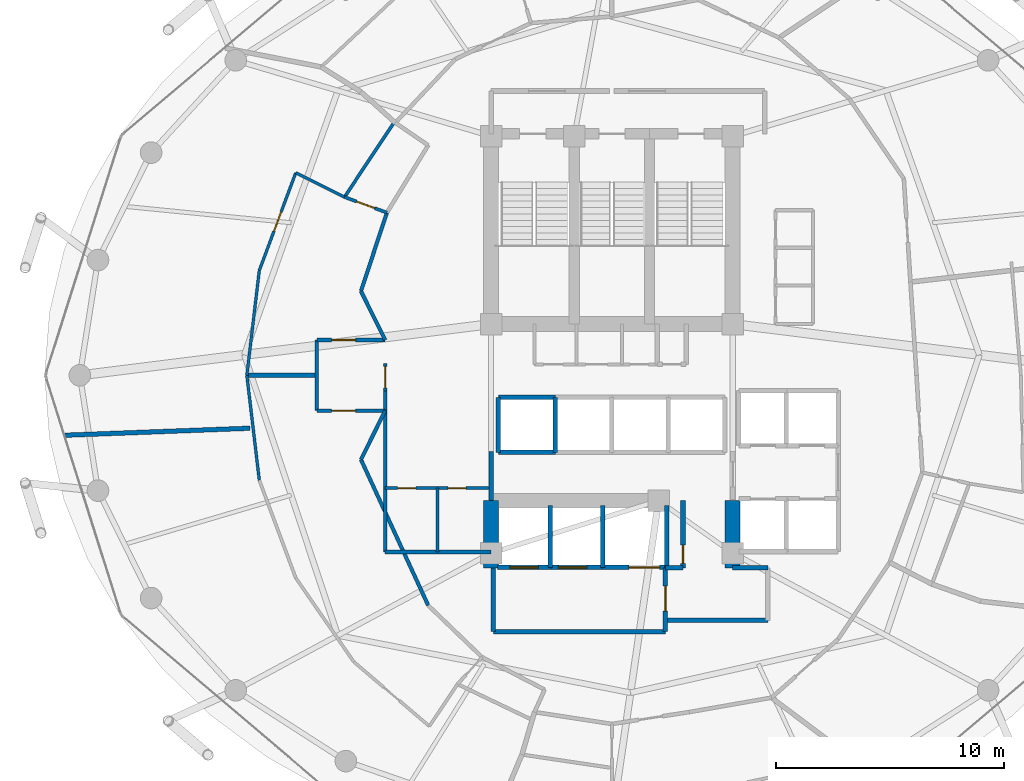
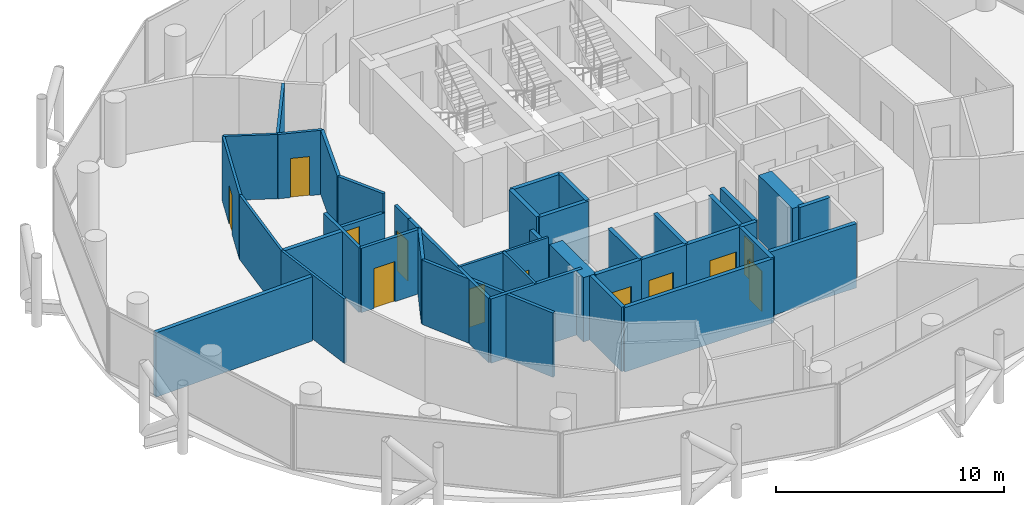
# One storey, part 22 of 26: 40 walls, 12 doors, 12 openings.
"""IFC4 building model written with IfcOpenShell, lengths in metres."""

from ifc_helpers import new_model, si_unit, direction, frame, frame_2d, origin, place, context, subcontext, project, spatial, rectangle, extrude, material, layer, layer_set, type_object, element, fill, save


model = new_model("IFC4")

# Units and contexts
model_context = context("Model", 3, precision=1e-05, world=origin(), true_north=direction((0.0, 1.0)))
body_context = subcontext(model_context, "Body", "Model", "MODEL_VIEW")
ifc_project = project(units=[si_unit("LENGTHUNIT", "METRE"), si_unit("AREAUNIT", "SQUARE_METRE"), si_unit("VOLUMEUNIT", "CUBIC_METRE"), si_unit("PLANEANGLEUNIT", "RADIAN"), si_unit("MASSUNIT", "GRAM", prefix="KILO")], contexts=[model_context])

# Site, building, storey
site_placement = place(None, origin())
site = spatial("IfcSite", under=ifc_project, at=site_placement, CompositionType="ELEMENT")
building_placement = place(site_placement, origin())
building = spatial("IfcBuilding", under=site, at=building_placement, Name="Nuhasar Tower", CompositionType="ELEMENT")
storey_placement = place(building_placement, frame((0.0, 0.0, 136.75)))
storey = spatial("IfcBuildingStorey", under=building, at=storey_placement, Name="L32", CompositionType="ELEMENT", Elevation=136.75)

# Walls
ifc_material_1 = material(Name="Concrete C65/80", Category="concrete")
ifc_layer_1 = layer(ifc_material_1, 0.64990234375)
ifc_layer_set_1 = layer_set([ifc_layer_1], Name="Concrete C65/80")
wall_type_1 = type_object("IfcWallType", Name="WL-CORE-650", PredefinedType="SHEAR", material=ifc_layer_set_1)
for number, where, z_axis, x_axis, name in (
    (1, (33.699951171875, 18.35009765625, 0.0), (0.0, 0.0, 1.0), (0.0, 1.0, 0.0), "L32 Core Shear Wall CW-SW CW-650"),
    (2, (44.300048828125, 18.35009765625, 0.0), (0.0, 0.0, 1.0), (0.0, 1.0, 0.0), "L32 Core Shear Wall CW-SE CW-650"),
):
    element("IfcWall", number, at=place(storey_placement, frame(where, z_axis=z_axis, x_axis=x_axis)), inside=storey, type_object=wall_type_1, Name=name, PredefinedType="SHEAR", context=body_context, shape_type="SweptSolid", body=[
        extrude(rectangle(XDim=2.949951171875, YDim=0.64990234375, at=frame_2d((1.47509765625, 0.0))), origin(), (0.0, 0.0, 1.0), 3.449951171875),
    ])
ifc_material_2 = material(Name="Gypsum Board", Category="gypsum")
ifc_layer_2 = layer(ifc_material_2, 0.159912109375)
ifc_layer_set_2 = layer_set([ifc_layer_2], Name="Gypsum Board")
wall_type_2 = type_object("IfcWallType", Name="WL-CORR-160", PredefinedType="PARTITIONING", material=ifc_layer_set_2)
wall_1_placement = place(storey_placement, frame((29.050048828125, 19.050048828125, 0.0), z_axis=(0.0, 0.0, 1.0), x_axis=(1.0, 0.0, 0.0)))
element("IfcWall", 3, at=wall_1_placement, inside=storey, type_object=wall_type_2, Name="L32 Interior Partition RECL-B1-S", PredefinedType="PARTITIONING", context=body_context, shape_type="SweptSolid", body=[
    extrude(rectangle(XDim=4.64990234375, YDim=0.159912109375, at=frame_2d((2.324951171875, 0.0))), origin(), (0.0, 0.0, 1.0), 3.449951171875),
])
wall_2_placement = place(storey_placement, frame((29.050048828125, 19.050048828125, 0.0), z_axis=(0.0, 0.0, 1.0), x_axis=(0.0, 1.0, 0.0)))
element("IfcWall", 4, at=wall_2_placement, inside=storey, type_object=wall_type_2, Name="L32 Interior Partition RECL-B1-W", PredefinedType="PARTITIONING", context=body_context, shape_type="SweptSolid", body=[
    extrude(rectangle(XDim=7.070068359375, YDim=0.159912109375, at=frame_2d((3.53515625, 0.0))), origin(), (0.0, 0.0, 1.0), 3.449951171875),
])

# Wall, opening, door
wall_3_placement = place(storey_placement, frame((29.050048828125, 26.1201171875, 0.0), z_axis=(0.0, 0.0, 1.0), x_axis=(0.0, 1.0, 0.0)))
wall_3 = element("IfcWall", 5, at=wall_3_placement, inside=storey, type_object=wall_type_2, Name="L32 Interior Partition WVEST-E", PredefinedType="PARTITIONING", context=body_context, shape_type="SweptSolid", body=[
    extrude(rectangle(XDim=1.199951171875, YDim=0.159912109375, at=frame_2d((0.60009765625, 0.0))), origin(), (0.0, 0.0, 1.0), 3.449951171875),
])
opening_1_placement = place(wall_3_placement, frame((0.125, 0.0, 0.0)))
opening_1 = element("IfcOpeningElement", 6, at=opening_1_placement, cuts=wall_3, Name="Opening DO-01", PredefinedType="OPENING", context=body_context, shape_type="SweptSolid", body=[
    extrude(rectangle(XDim=0.949951171875, YDim=2.14990234375, at=frame_2d((0.47509765625, 1.074951171875))), frame((0.0, 0.08984375, 0.0), z_axis=(0.0, -1.0, 0.0), x_axis=(1.0, 0.0, 0.0)), (0.0, 0.0, 1.0), 0.179931640625),
])
ifc_material_3 = material(Name="Timber Oak", Category="wood")
door_type_1 = type_object("IfcDoorType", Name="DR-OFFICE-FD30-950", OperationType="NOTDEFINED", PredefinedType="DOOR", material=ifc_material_3)
door_1_placement = place(opening_1_placement, origin())
door_1 = element("IfcDoor", 7, at=door_1_placement, inside=storey, type_object=door_type_1, Name="L32 West Arrival Foyer Core Door", OperationType="SINGLE_SWING_RIGHT", OverallHeight=2.14990234375, OverallWidth=0.949951171875, PredefinedType="DOOR", context=body_context, shape_type="SweptSolid", body=[
    extrude(rectangle(XDim=0.949951171875, YDim=2.14990234375, at=frame_2d((0.47509765625, 1.074951171875))), frame((0.0, 0.02490234375, 0.0), z_axis=(0.0, -1.0, 0.0), x_axis=(1.0, 0.0, 0.0)), (0.0, 0.0, 1.0), 0.050048828125),
])
fill(opening_1, door_1)

# Walls
wall_4_placement = place(storey_placement, frame((29.126953125, 33.93994140625, 0.0), z_axis=(0.0, 0.0, 1.0), x_axis=(-0.313985571683, -0.949427754374, 0.0)))
element("IfcWall", 8, at=wall_4_placement, inside=storey, type_object=wall_type_2, Name="L32 Interior Partition HWEST-CORE-N-20", PredefinedType="PARTITIONING", context=body_context, shape_type="SweptSolid", body=[
    extrude(rectangle(XDim=3.627197265625, YDim=0.159912109375, at=frame_2d((1.8134765625, 0.0))), origin(), (0.0, 0.0, 1.0), 3.449951171875),
])
wall_5_placement = place(storey_placement, frame((27.988037109375, 23.10400390625, 0.0), z_axis=(0.0, 0.0, 1.0), x_axis=(0.418656179426, -0.908144814128, 0.0)))
element("IfcWall", 9, at=wall_5_placement, inside=storey, type_object=wall_type_2, Name="L32 Interior Partition HWEST-CORE-S1-26", PredefinedType="PARTITIONING", context=body_context, shape_type="SweptSolid", body=[
    extrude(rectangle(XDim=7.048583984375, YDim=0.159912109375, at=frame_2d((3.5244140625, 0.0))), origin(), (0.0, 0.0, 1.0), 3.449951171875),
])

# Wall, opening, door
wall_6_placement = place(storey_placement, frame((26.050048828125, 28.35009765625, 0.0), z_axis=(0.0, 0.0, 1.0), x_axis=(1.0, 0.0, 0.0)))
wall_6 = element("IfcWall", 10, at=wall_6_placement, inside=storey, type_object=wall_type_2, Name="L32 Interior Partition WVEST-N", PredefinedType="PARTITIONING", context=body_context, shape_type="SweptSolid", body=[
    extrude(rectangle(XDim=3.0, YDim=0.159912109375, at=frame_2d((1.5, 0.0))), origin(), (0.0, 0.0, 1.0), 2.43994140625),
])
opening_2_placement = place(wall_6_placement, frame((0.64990234375, 0.0, 0.0)))
opening_2 = element("IfcOpeningElement", 11, at=opening_2_placement, cuts=wall_6, Name="Opening DU-01", PredefinedType="OPENING", context=body_context, shape_type="SweptSolid", body=[
    extrude(rectangle(XDim=1.050048828125, YDim=2.14990234375, at=frame_2d((0.52490234375, 1.074951171875))), frame((0.0, 0.08984375, 0.0), z_axis=(0.0, -1.0, 0.0), x_axis=(1.0, 0.0, 0.0)), (0.0, 0.0, 1.0), 0.179931640625),
])
door_type_2 = type_object("IfcDoorType", Name="DR-SUITE-FD60-1050", OperationType="NOTDEFINED", PredefinedType="DOOR", material=ifc_material_3)
door_2_placement = place(opening_2_placement, origin())
door_2 = element("IfcDoor", 12, at=door_2_placement, inside=storey, type_object=door_type_2, Name="L32 North-West Sunset Suite Entrance", OperationType="SINGLE_SWING_LEFT", OverallHeight=2.14990234375, OverallWidth=1.050048828125, PredefinedType="DOOR", context=body_context, shape_type="SweptSolid", body=[
    extrude(rectangle(XDim=1.050048828125, YDim=2.14990234375, at=frame_2d((0.52490234375, 1.074951171875))), frame((0.0, 0.02490234375, 0.0), z_axis=(0.0, -1.0, 0.0), x_axis=(1.0, 0.0, 0.0)), (0.0, 0.0, 1.0), 0.050048828125),
])
fill(opening_2, door_2)

wall_7_placement = place(storey_placement, frame((26.050048828125, 25.25, 0.0), z_axis=(0.0, 0.0, 1.0), x_axis=(1.0, 0.0, 0.0)))
wall_7 = element("IfcWall", 13, at=wall_7_placement, inside=storey, type_object=wall_type_2, Name="L32 Interior Partition WVEST-S", PredefinedType="PARTITIONING", context=body_context, shape_type="SweptSolid", body=[
    extrude(rectangle(XDim=3.0, YDim=0.159912109375, at=frame_2d((1.5, 0.0))), origin(), (0.0, 0.0, 1.0), 3.449951171875),
])
opening_3_placement = place(wall_7_placement, frame((0.64990234375, 0.0, 0.0)))
opening_3 = element("IfcOpeningElement", 14, at=opening_3_placement, cuts=wall_7, Name="Opening DU-01", PredefinedType="OPENING", context=body_context, shape_type="SweptSolid", body=[
    extrude(rectangle(XDim=1.050048828125, YDim=2.14990234375, at=frame_2d((0.52490234375, 1.074951171875))), frame((0.0, 0.08984375, 0.0), z_axis=(0.0, -1.0, 0.0), x_axis=(1.0, 0.0, 0.0)), (0.0, 0.0, 1.0), 0.179931640625),
])
door_3_placement = place(opening_3_placement, origin())
door_3 = element("IfcDoor", 15, at=door_3_placement, inside=storey, type_object=door_type_2, Name="L32 South-West Presidential Suite Entrance", OperationType="SINGLE_SWING_LEFT", OverallHeight=2.14990234375, OverallWidth=1.050048828125, PredefinedType="DOOR", context=body_context, shape_type="SweptSolid", body=[
    extrude(rectangle(XDim=1.050048828125, YDim=2.14990234375, at=frame_2d((0.52490234375, 1.074951171875))), frame((0.0, 0.02490234375, 0.0), z_axis=(0.0, -1.0, 0.0), x_axis=(1.0, 0.0, 0.0)), (0.0, 0.0, 1.0), 0.050048828125),
])
fill(opening_3, door_3)

# Walls
wall_8_placement = place(storey_placement, frame((26.050048828125, 25.25, 0.0), z_axis=(0.0, 0.0, 1.0), x_axis=(0.0, 1.0, 0.0)))
element("IfcWall", 16, at=wall_8_placement, inside=storey, type_object=wall_type_2, Name="L32 Interior Partition WVEST-W", PredefinedType="PARTITIONING", context=body_context, shape_type="SweptSolid", body=[
    extrude(rectangle(XDim=3.10009765625, YDim=0.159912109375, at=frame_2d((1.550048828125, 0.0))), origin(), (0.0, 0.0, 1.0), 3.449951171875),
])
for number, where, z_axis, x_axis, name in (
    (17, (27.988037109375, 30.49609375, 0.0), (0.0, 0.0, 1.0), (0.443539160525, -0.896254993337, 0.0), "L32 Interior Partition WVEST-CN"),
    (18, (27.988037109375, 23.10400390625, 0.0), (0.0, 0.0, 1.0), (0.443539160525, 0.896254993337, 0.0), "L32 Interior Partition WVEST-CS"),
):
    element("IfcWall", number, at=place(storey_placement, frame(where, z_axis=z_axis, x_axis=x_axis)), inside=storey, type_object=wall_type_2, Name=name, PredefinedType="PARTITIONING", context=body_context, shape_type="SweptSolid", body=[
        extrude(rectangle(XDim=2.394287109375, YDim=0.159912109375, at=frame_2d((1.197265625, 0.0))), origin(), (0.0, 0.0, 1.0), 3.449951171875),
    ])
ifc_material_4 = material(Name="Concrete C45/55", Category="concrete")
ifc_layer_3 = layer(ifc_material_4, 0.199951171875)
ifc_layer_set_3 = layer_set([ifc_layer_3], Name="Concrete C45/55")
wall_type_3 = type_object("IfcWallType", Name="WL-LOBBY-200", PredefinedType="SOLIDWALL", material=ifc_layer_set_3)
wall_9_placement = place(storey_placement, frame((33.699951171875, 21.300048828125, 0.0), z_axis=(0.0, 0.0, 1.0), x_axis=(0.0, 1.0, 0.0)))
element("IfcWall", 19, at=wall_9_placement, inside=storey, type_object=wall_type_3, Name="L32 Interior Partition LLBH-W", PredefinedType="SOLIDWALL", context=body_context, shape_type="SweptSolid", body=[
    extrude(rectangle(XDim=2.14990234375, YDim=0.199951171875, at=frame_2d((1.074951171875, 0.0))), origin(), (0.0, 0.0, 1.0), 2.8349609375),
])
wall_10_placement = place(storey_placement, frame((33.800048828125, 15.550048828125, 0.0), z_axis=(0.0, 0.0, 1.0), x_axis=(1.0, 0.0, 0.0)))
element("IfcWall", 20, at=wall_10_placement, inside=storey, type_object=wall_type_3, Name="L32 Interior Partition FFL-S", PredefinedType="SOLIDWALL", context=body_context, shape_type="SweptSolid", body=[
    extrude(rectangle(XDim=7.550048828125, YDim=0.199951171875, at=frame_2d((3.77490234375, 0.0))), origin(), (0.0, 0.0, 1.0), 3.449951171875),
])
wall_11_placement = place(storey_placement, frame((33.800048828125, 15.550048828125, 0.0), z_axis=(0.0, 0.0, 1.0), x_axis=(0.0, 1.0, 0.0)))
element("IfcWall", 21, at=wall_11_placement, inside=storey, type_object=wall_type_3, Name="L32 Interior Partition FFL-W", PredefinedType="SOLIDWALL", context=body_context, shape_type="SweptSolid", body=[
    extrude(rectangle(XDim=2.800048828125, YDim=0.199951171875, at=frame_2d((1.39990234375, 0.0))), origin(), (0.0, 0.0, 1.0), 3.449951171875),
])

# Wall, opening, door
wall_12_placement = place(storey_placement, frame((41.35009765625, 15.550048828125, 0.0), z_axis=(0.0, 0.0, 1.0), x_axis=(0.0, 1.0, 0.0)))
wall_12 = element("IfcWall", 22, at=wall_12_placement, inside=storey, type_object=wall_type_3, Name="L32 Interior Partition FFL-E", PredefinedType="SOLIDWALL", context=body_context, shape_type="SweptSolid", body=[
    extrude(rectangle(XDim=2.800048828125, YDim=0.199951171875, at=frame_2d((1.39990234375, 0.0))), origin(), (0.0, 0.0, 1.0), 3.449951171875),
])
opening_4_placement = place(wall_12_placement, frame((0.89990234375, 0.0, 0.0)))
opening_4 = element("IfcOpeningElement", 23, at=opening_4_placement, cuts=wall_12, Name="Opening DS-02", PredefinedType="OPENING", context=body_context, shape_type="SweptSolid", body=[
    extrude(rectangle(XDim=1.10009765625, YDim=2.14990234375, at=frame_2d((0.550048828125, 1.074951171875))), frame((0.0, 0.10986328125, 0.0), z_axis=(0.0, -1.0, 0.0), x_axis=(1.0, 0.0, 0.0)), (0.0, 0.0, 1.0), 0.219970703125),
])
ifc_material_5 = material(Name="Steel S355", Category="steel")
door_type_3 = type_object("IfcDoorType", Name="DR-FFL-FD120-1100", OperationType="NOTDEFINED", PredefinedType="DOOR", material=ifc_material_5)
door_4_placement = place(opening_4_placement, origin())
door_4 = element("IfcDoor", 24, at=door_4_placement, inside=storey, type_object=door_type_3, Name="L32 Firefighting Lobby Door", OperationType="SINGLE_SWING_RIGHT", OverallHeight=2.14990234375, OverallWidth=1.10009765625, PredefinedType="DOOR", context=body_context, shape_type="SweptSolid", body=[
    extrude(rectangle(XDim=1.10009765625, YDim=2.14990234375, at=frame_2d((0.550048828125, 1.074951171875))), frame((0.0, 0.02490234375, 0.0), z_axis=(0.0, -1.0, 0.0), x_axis=(1.0, 0.0, 0.0)), (0.0, 0.0, 1.0), 0.050048828125),
])
fill(opening_4, door_4)

# Walls
wall_13_placement = place(storey_placement, frame((41.35009765625, 16.050048828125, 0.0), z_axis=(0.0, 0.0, 1.0), x_axis=(1.0, 0.0, 0.0)))
element("IfcWall", 25, at=wall_13_placement, inside=storey, type_object=wall_type_3, Name="L32 Interior Partition SVLV-S", PredefinedType="SOLIDWALL", context=body_context, shape_type="SweptSolid", body=[
    extrude(rectangle(XDim=4.5, YDim=0.199951171875, at=frame_2d((2.25, 0.0))), origin(), (0.0, 0.0, 1.0), 3.449951171875),
])
wall_14_placement = place(storey_placement, frame((44.300048828125, 18.35009765625, 0.0), z_axis=(0.0, 0.0, 1.0), x_axis=(1.0, 0.0, 0.0)))
element("IfcWall", 26, at=wall_14_placement, inside=storey, type_object=wall_type_3, Name="L32 Interior Partition SVLV-N", PredefinedType="SOLIDWALL", context=body_context, shape_type="SweptSolid", body=[
    extrude(rectangle(XDim=1.550048828125, YDim=0.199951171875, at=frame_2d((0.77490234375, 0.0))), origin(), (0.0, 0.0, 1.0), 3.449951171875),
])

# Wall, openings, doors
ifc_layer_4 = layer(ifc_material_2, 0.125)
ifc_layer_set_4 = layer_set([ifc_layer_4], Name="Gypsum Board")
wall_type_4 = type_object("IfcWallType", Name="WL-PART-125", PredefinedType="PARTITIONING", material=ifc_layer_set_4)
wall_15_placement = place(storey_placement, frame((33.60009765625, 21.85009765625, 0.0), z_axis=(0.0, 0.0, 1.0), x_axis=(-1.0, 0.0, 0.0)))
wall_15 = element("IfcWall", 27, at=wall_15_placement, inside=storey, type_object=wall_type_4, Name="L32 Interior Partition HKPK1-N", PredefinedType="PARTITIONING", context=body_context, shape_type="SweptSolid", body=[
    extrude(rectangle(XDim=4.550048828125, YDim=0.125, at=frame_2d((2.27490234375, 0.0))), origin(), (0.0, 0.0, 1.0), 3.449951171875),
])
opening_5_placement = place(wall_15_placement, frame((3.199951171875, 0.0, 0.0)))
opening_5 = element("IfcOpeningElement", 28, at=opening_5_placement, cuts=wall_15, Name="Opening DM-01", PredefinedType="OPENING", context=body_context, shape_type="SweptSolid", body=[
    extrude(rectangle(XDim=0.800048828125, YDim=2.050048828125, at=frame_2d((0.39990234375, 1.02490234375))), frame((0.0, 0.072509765625, 0.0), z_axis=(0.0, -1.0, 0.0), x_axis=(1.0, 0.0, 0.0)), (0.0, 0.0, 1.0), 0.14501953125),
])
opening_6_placement = place(wall_15_placement, frame((1.0, 0.0, 0.0)))
opening_6 = element("IfcOpeningElement", 29, at=opening_6_placement, cuts=wall_15, Name="Opening DM-01", PredefinedType="OPENING", context=body_context, shape_type="SweptSolid", body=[
    extrude(rectangle(XDim=0.800048828125, YDim=2.050048828125, at=frame_2d((0.39990234375, 1.02490234375))), frame((0.0, 0.072509765625, 0.0), z_axis=(0.0, -1.0, 0.0), x_axis=(1.0, 0.0, 0.0)), (0.0, 0.0, 1.0), 0.14501953125),
])
door_type_4 = type_object("IfcDoorType", Name="DR-RISER-FD60-800", OperationType="NOTDEFINED", PredefinedType="DOOR", material=ifc_material_5)
door_5_placement = place(opening_5_placement, origin())
door_5 = element("IfcDoor", 30, at=door_5_placement, inside=storey, type_object=door_type_4, Name="L32 Housekeeping Closet Door", OperationType="SINGLE_SWING_RIGHT", OverallHeight=2.050048828125, OverallWidth=0.800048828125, PredefinedType="DOOR", context=body_context, shape_type="SweptSolid", body=[
    extrude(rectangle(XDim=0.800048828125, YDim=2.050048828125, at=frame_2d((0.39990234375, 1.02490234375))), frame((0.0, 0.02490234375, 0.0), z_axis=(0.0, -1.0, 0.0), x_axis=(1.0, 0.0, 0.0)), (0.0, 0.0, 1.0), 0.050048828125),
])
fill(opening_5, door_5)
door_6_placement = place(opening_6_placement, origin())
door_6 = element("IfcDoor", 31, at=door_6_placement, inside=storey, type_object=door_type_4, Name="L32 Linen Store Door", OperationType="SINGLE_SWING_LEFT", OverallHeight=2.050048828125, OverallWidth=0.800048828125, PredefinedType="DOOR", context=body_context, shape_type="SweptSolid", body=[
    extrude(rectangle(XDim=0.800048828125, YDim=2.050048828125, at=frame_2d((0.39990234375, 1.02490234375))), frame((0.0, 0.02490234375, 0.0), z_axis=(0.0, -1.0, 0.0), x_axis=(1.0, 0.0, 0.0)), (0.0, 0.0, 1.0), 0.050048828125),
])
fill(opening_6, door_6)

# Walls
wall_16_placement = place(storey_placement, frame((31.35009765625, 19.050048828125, 0.0), z_axis=(0.0, 0.0, 1.0), x_axis=(0.0, 1.0, 0.0)))
element("IfcWall", 32, at=wall_16_placement, inside=storey, type_object=wall_type_4, Name="L32 Interior Partition HKPK1-V", PredefinedType="PARTITIONING", context=body_context, shape_type="SweptSolid", body=[
    extrude(rectangle(XDim=2.800048828125, YDim=0.125, at=frame_2d((1.39990234375, 0.0))), origin(), (0.0, 0.0, 1.0), 3.449951171875),
])
wall_17_placement = place(storey_placement, frame((27.264892578125, 34.625, 0.0), z_axis=(0.0, 0.0, 1.0), x_axis=(-0.895182030291, 0.445700720937, 0.0)))
element("IfcWall", 33, at=wall_17_placement, inside=storey, type_object=wall_type_4, Name="L32 Interior Partition HWS1-S", PredefinedType="PARTITIONING", context=body_context, shape_type="SweptSolid", body=[
    extrude(rectangle(XDim=2.389404296875, YDim=0.125, at=frame_2d((1.19482421875, 0.0))), origin(), (0.0, 0.0, 1.0), 3.449951171875),
])

# Wall, opening, door
wall_18_placement = place(storey_placement, frame((25.1259765625, 35.68994140625, 0.0), z_axis=(0.0, 0.0, 1.0), x_axis=(-0.349620571525, -0.936891378958, 0.0)))
wall_18 = element("IfcWall", 34, at=wall_18_placement, inside=storey, type_object=wall_type_4, Name="L32 Interior Partition HWS1-ARC-20", PredefinedType="PARTITIONING", context=body_context, shape_type="SweptSolid", body=[
    extrude(rectangle(XDim=4.57666015625, YDim=0.125, at=frame_2d((2.288330078125, 0.0))), origin(), (0.0, 0.0, 1.0), 3.449951171875),
])
opening_7_placement = place(wall_18_placement, frame((1.837890625, 0.0, 0.0)))
opening_7 = element("IfcOpeningElement", 35, at=opening_7_placement, cuts=wall_18, Name="Opening DR-01", PredefinedType="OPENING", context=body_context, shape_type="SweptSolid", body=[
    extrude(rectangle(XDim=0.89990234375, YDim=2.10009765625, at=frame_2d((0.449951171875, 1.050048828125))), frame((0.0, 0.072509765625, 0.0), z_axis=(0.0, -1.0, 0.0), x_axis=(1.0, 0.0, 0.0)), (0.0, 0.0, 1.0), 0.14501953125),
])
door_type_5 = type_object("IfcDoorType", Name="DR-ROOM-900", OperationType="NOTDEFINED", PredefinedType="DOOR", material=ifc_material_3)
door_7_placement = place(opening_7_placement, origin())
door_7 = element("IfcDoor", 36, at=door_7_placement, inside=storey, type_object=door_type_5, Name="L32 North-West Sunset Suite Bedroom Door", OperationType="SINGLE_SWING_LEFT", OverallHeight=2.10009765625, OverallWidth=0.89990234375, PredefinedType="DOOR", context=body_context, shape_type="SweptSolid", body=[
    extrude(rectangle(XDim=0.89990234375, YDim=2.10009765625, at=frame_2d((0.449951171875, 1.050048828125))), frame((0.0, 0.02490234375, 0.0), z_axis=(0.0, -1.0, 0.0), x_axis=(1.0, 0.0, 0.0)), (0.0, 0.0, 1.0), 0.050048828125),
])
fill(opening_7, door_7)

# Walls
for number, where, z_axis, x_axis, name in (
    (37, (23.52587890625, 31.402099609375, 0.0), (0.0, 0.0, 1.0), (-0.117794846718, -0.993037951987, 0.0), "L32 Interior Partition HWS1-ARC-22"),
    (38, (22.97998046875, 26.800048828125, 0.0), (0.0, 0.0, 1.0), (0.117794846718, -0.993037951987, 0.0), "L32 Interior Partition HWS2-ARC-24"),
):
    element("IfcWall", number, at=place(storey_placement, frame(where, z_axis=z_axis, x_axis=x_axis)), inside=storey, type_object=wall_type_4, Name=name, PredefinedType="PARTITIONING", context=body_context, shape_type="SweptSolid", body=[
        extrude(rectangle(XDim=4.63427734375, YDim=0.125, at=frame_2d((2.317138671875, 0.0))), origin(), (0.0, 0.0, 1.0), 3.449951171875),
    ])
ifc_layer_5 = layer(ifc_material_4, 0.199951171875)
ifc_layer_set_5 = layer_set([ifc_layer_5], Name="Concrete C45/55")
wall_type_5 = type_object("IfcWallType", Name="WL-SHAFT-200", PredefinedType="SOLIDWALL", material=ifc_layer_set_5)
for number, where, z_axis, x_axis, name in (
    (39, (34.02001953125, 23.419921875, 0.0), (0.0, 0.0, 1.0), (1.0, 0.0, 0.0), "L32 Interior Partition SHF-PL-H01-S"),
    (40, (34.02001953125, 25.830078125, 0.0), (0.0, 0.0, 1.0), (1.0, 0.0, 0.0), "L32 Interior Partition SHF-PL-H01-N"),
):
    element("IfcWall", number, at=place(storey_placement, frame(where, z_axis=z_axis, x_axis=x_axis)), inside=storey, type_object=wall_type_5, Name=name, PredefinedType="SOLIDWALL", context=body_context, shape_type="SweptSolid", body=[
        extrude(rectangle(XDim=2.5, YDim=0.199951171875, at=frame_2d((1.25, 0.0))), origin(), (0.0, 0.0, 1.0), 3.449951171875),
    ])
for number, where, z_axis, x_axis, name in (
    (41, (34.02001953125, 23.419921875, 0.0), (0.0, 0.0, 1.0), (0.0, 1.0, 0.0), "L32 Interior Partition SHF-PL-H01-W"),
    (42, (36.510009765625, 23.419921875, 0.0), (0.0, 0.0, 1.0), (0.0, 1.0, 0.0), "L32 Interior Partition SHF-PL-H01-E"),
):
    element("IfcWall", number, at=place(storey_placement, frame(where, z_axis=z_axis, x_axis=x_axis)), inside=storey, type_object=wall_type_5, Name=name, PredefinedType="SOLIDWALL", context=body_context, shape_type="SweptSolid", body=[
        extrude(rectangle(XDim=2.41015625, YDim=0.199951171875, at=frame_2d((1.205078125, 0.0))), origin(), (0.0, 0.0, 1.0), 3.449951171875),
    ])

# Wall, opening, door
wall_19_placement = place(storey_placement, frame((33.969970703125, 18.3701171875, 0.0), z_axis=(0.0, 0.0, 1.0), x_axis=(1.0, 0.0, 0.0)))
wall_19 = element("IfcWall", 43, at=wall_19_placement, inside=storey, type_object=wall_type_5, Name="L32 Interior Partition SHF-FFL-01-S", PredefinedType="SOLIDWALL", context=body_context, shape_type="SweptSolid", body=[
    extrude(rectangle(XDim=2.360107421875, YDim=0.199951171875, at=frame_2d((1.18017578125, 0.0))), origin(), (0.0, 0.0, 1.0), 3.449951171875),
])
opening_8_placement = place(wall_19_placement, frame((0.554931640625, 0.0, 0.0)))
opening_8 = element("IfcOpeningElement", 44, at=opening_8_placement, cuts=wall_19, Name="Opening LD-F01", PredefinedType="OPENING", context=body_context, shape_type="SweptSolid", body=[
    extrude(rectangle(XDim=1.25, YDim=2.199951171875, at=frame_2d((0.625, 1.10009765625))), frame((0.0, 0.10986328125, 0.0), z_axis=(0.0, -1.0, 0.0), x_axis=(1.0, 0.0, 0.0)), (0.0, 0.0, 1.0), 0.219970703125),
])
ifc_material_6 = material(Name="Stainless Steel 316L", Category="steel")
door_type_6 = type_object("IfcDoorType", Name="LD-FFL-1250", OperationType="DOUBLE_DOOR_SLIDING", PredefinedType="DOOR", material=ifc_material_6)
door_8_placement = place(opening_8_placement, origin())
door_8 = element("IfcDoor", 45, at=door_8_placement, inside=storey, type_object=door_type_6, Name="L32 Lift Landing Door FFL-01", OperationType="DOUBLE_DOOR_SLIDING", OverallHeight=2.199951171875, OverallWidth=1.25, PredefinedType="DOOR", context=body_context, shape_type="SweptSolid", body=[
    extrude(rectangle(XDim=1.25, YDim=2.199951171875, at=frame_2d((0.625, 1.10009765625))), frame((0.0, 0.02490234375, 0.0), z_axis=(0.0, -1.0, 0.0), x_axis=(1.0, 0.0, 0.0)), (0.0, 0.0, 1.0), 0.050048828125),
])
fill(opening_8, door_8)

# Wall
wall_20_placement = place(storey_placement, frame((36.300048828125, 18.3701171875, 0.0), z_axis=(0.0, 0.0, 1.0), x_axis=(0.0, 1.0, 0.0)))
element("IfcWall", 46, at=wall_20_placement, inside=storey, type_object=wall_type_5, Name="L32 Interior Partition SHF-FFL-01-E", PredefinedType="SOLIDWALL", context=body_context, shape_type="SweptSolid", body=[
    extrude(rectangle(XDim=2.7099609375, YDim=0.199951171875, at=frame_2d((1.35498046875, 0.0))), origin(), (0.0, 0.0, 1.0), 3.449951171875),
])

# Wall, opening, door
wall_21_placement = place(storey_placement, frame((36.27001953125, 18.3701171875, 0.0), z_axis=(0.0, 0.0, 1.0), x_axis=(1.0, 0.0, 0.0)))
wall_21 = element("IfcWall", 47, at=wall_21_placement, inside=storey, type_object=wall_type_5, Name="L32 Interior Partition SHF-FFL-02-S", PredefinedType="SOLIDWALL", context=body_context, shape_type="SweptSolid", body=[
    extrude(rectangle(XDim=2.35986328125, YDim=0.199951171875, at=frame_2d((1.179931640625, 0.0))), origin(), (0.0, 0.0, 1.0), 3.449951171875),
])
opening_9_placement = place(wall_21_placement, frame((0.3798828125, 0.0, 0.0)))
opening_9 = element("IfcOpeningElement", 48, at=opening_9_placement, cuts=wall_21, Name="Opening LD-F02", PredefinedType="OPENING", context=body_context, shape_type="SweptSolid", body=[
    extrude(rectangle(XDim=1.25, YDim=2.199951171875, at=frame_2d((0.625, 1.10009765625))), frame((0.0, 0.10986328125, 0.0), z_axis=(0.0, -1.0, 0.0), x_axis=(1.0, 0.0, 0.0)), (0.0, 0.0, 1.0), 0.219970703125),
])
door_9_placement = place(opening_9_placement, origin())
door_9 = element("IfcDoor", 49, at=door_9_placement, inside=storey, type_object=door_type_6, Name="L32 Lift Landing Door FFL-02", OperationType="DOUBLE_DOOR_SLIDING", OverallHeight=2.199951171875, OverallWidth=1.25, PredefinedType="DOOR", context=body_context, shape_type="SweptSolid", body=[
    extrude(rectangle(XDim=1.25, YDim=2.199951171875, at=frame_2d((0.625, 1.10009765625))), frame((0.0, 0.02490234375, 0.0), z_axis=(0.0, -1.0, 0.0), x_axis=(1.0, 0.0, 0.0)), (0.0, 0.0, 1.0), 0.050048828125),
])
fill(opening_9, door_9)

# Wall
wall_22_placement = place(storey_placement, frame((38.60009765625, 18.3701171875, 0.0), z_axis=(0.0, 0.0, 1.0), x_axis=(0.0, 1.0, 0.0)))
element("IfcWall", 50, at=wall_22_placement, inside=storey, type_object=wall_type_5, Name="L32 Interior Partition SHF-FFL-02-E", PredefinedType="SOLIDWALL", context=body_context, shape_type="SweptSolid", body=[
    extrude(rectangle(XDim=2.7099609375, YDim=0.199951171875, at=frame_2d((1.35498046875, 0.0))), origin(), (0.0, 0.0, 1.0), 3.449951171875),
])

# Wall, opening, door
wall_23_placement = place(storey_placement, frame((38.570068359375, 18.3701171875, 0.0), z_axis=(0.0, 0.0, 1.0), x_axis=(1.0, 0.0, 0.0)))
wall_23 = element("IfcWall", 51, at=wall_23_placement, inside=storey, type_object=wall_type_5, Name="L32 Interior Partition SHF-SVL-01-S", PredefinedType="SOLIDWALL", context=body_context, shape_type="SweptSolid", body=[
    extrude(rectangle(XDim=2.829833984375, YDim=0.199951171875, at=frame_2d((1.4150390625, 0.0))), origin(), (0.0, 0.0, 1.0), 3.449951171875),
])
opening_10_placement = place(wall_23_placement, frame((1.179931640625, 0.0, 0.0)))
opening_10 = element("IfcOpeningElement", 52, at=opening_10_placement, cuts=wall_23, Name="Opening LD-S01", PredefinedType="OPENING", context=body_context, shape_type="SweptSolid", body=[
    extrude(rectangle(XDim=1.35009765625, YDim=2.179931640625, at=frame_2d((0.675048828125, 1.08984375))), frame((0.0, 0.10986328125, 0.0), z_axis=(0.0, -1.0, 0.0), x_axis=(1.0, 0.0, 0.0)), (0.0, 0.0, 1.0), 0.219970703125),
])
door_type_7 = type_object("IfcDoorType", Name="LD-SVL-1350", OperationType="DOUBLE_DOOR_SLIDING", PredefinedType="DOOR", material=ifc_material_6)
door_10_placement = place(opening_10_placement, origin())
door_10 = element("IfcDoor", 53, at=door_10_placement, inside=storey, type_object=door_type_7, Name="L32 Lift Landing Door SVL-01", OperationType="DOUBLE_DOOR_SLIDING", OverallHeight=2.179931640625, OverallWidth=1.35009765625, PredefinedType="DOOR", context=body_context, shape_type="SweptSolid", body=[
    extrude(rectangle(XDim=1.35009765625, YDim=2.179931640625, at=frame_2d((0.675048828125, 1.08984375))), frame((0.0, 0.02490234375, 0.0), z_axis=(0.0, -1.0, 0.0), x_axis=(1.0, 0.0, 0.0)), (0.0, 0.0, 1.0), 0.050048828125),
])
fill(opening_10, door_10)

# Wall
wall_24_placement = place(storey_placement, frame((41.39990234375, 18.3701171875, 0.0), z_axis=(0.0, 0.0, 1.0), x_axis=(0.0, 1.0, 0.0)))
element("IfcWall", 54, at=wall_24_placement, inside=storey, type_object=wall_type_5, Name="L32 Interior Partition SHF-SVL-01-E", PredefinedType="SOLIDWALL", context=body_context, shape_type="SweptSolid", body=[
    extrude(rectangle(XDim=2.7099609375, YDim=0.199951171875, at=frame_2d((1.35498046875, 0.0))), origin(), (0.0, 0.0, 1.0), 3.449951171875),
])

# Wall, opening, door
wall_25_placement = place(storey_placement, frame((42.1201171875, 18.35009765625, 0.0), z_axis=(0.0, 0.0, 1.0), x_axis=(0.0, 1.0, 0.0)))
wall_25 = element("IfcWall", 55, at=wall_25_placement, inside=storey, type_object=wall_type_5, Name="L32 Interior Partition RSR-E", PredefinedType="SOLIDWALL", context=body_context, shape_type="SweptSolid", body=[
    extrude(rectangle(XDim=2.949951171875, YDim=0.199951171875, at=frame_2d((1.47509765625, 0.0))), origin(), (0.0, 0.0, 1.0), 3.449951171875),
])
opening_11_placement = place(wall_25_placement, frame((0.199951171875, 0.0, 0.0)))
opening_11 = element("IfcOpeningElement", 56, at=opening_11_placement, cuts=wall_25, Name="Opening DM-01", PredefinedType="OPENING", context=body_context, shape_type="SweptSolid", body=[
    extrude(rectangle(XDim=0.800048828125, YDim=2.050048828125, at=frame_2d((0.39990234375, 1.02490234375))), frame((0.0, 0.10986328125, 0.0), z_axis=(0.0, -1.0, 0.0), x_axis=(1.0, 0.0, 0.0)), (0.0, 0.0, 1.0), 0.219970703125),
])
door_11_placement = place(opening_11_placement, origin())
door_11 = element("IfcDoor", 57, at=door_11_placement, inside=storey, type_object=door_type_4, Name="L32 MEP Riser Access Door", OperationType="SINGLE_SWING_LEFT", OverallHeight=2.050048828125, OverallWidth=0.800048828125, PredefinedType="DOOR", context=body_context, shape_type="SweptSolid", body=[
    extrude(rectangle(XDim=0.800048828125, YDim=2.050048828125, at=frame_2d((0.39990234375, 1.02490234375))), frame((0.0, 0.02490234375, 0.0), z_axis=(0.0, -1.0, 0.0), x_axis=(1.0, 0.0, 0.0)), (0.0, 0.0, 1.0), 0.050048828125),
])
fill(opening_11, door_11)

# Walls
wall_26_placement = place(storey_placement, frame((41.35009765625, 18.35009765625, 0.0), z_axis=(0.0, 0.0, 1.0), x_axis=(1.0, 0.0, 0.0)))
element("IfcWall", 58, at=wall_26_placement, inside=storey, type_object=wall_type_5, Name="L32 Interior Partition RSR-S", PredefinedType="SOLIDWALL", context=body_context, shape_type="SweptSolid", body=[
    extrude(rectangle(XDim=0.77001953125, YDim=0.199951171875, at=frame_2d((0.385009765625, 0.0))), origin(), (0.0, 0.0, 1.0), 3.449951171875),
])
ifc_material_7 = material(Name="Concrete C40/50 precast", Category="concrete")
ifc_layer_6 = layer(ifc_material_7, 0.199951171875)
ifc_layer_set_6 = layer_set([ifc_layer_6], Name="Concrete C40/50 precast")
wall_type_6 = type_object("IfcWallType", Name="WL-UNIT-200", PredefinedType="PARTITIONING", material=ifc_layer_set_6)
wall_27_placement = place(storey_placement, frame((26.050048828125, 26.800048828125, 0.0), z_axis=(0.0, 0.0, 1.0), x_axis=(-1.0, 0.0, 0.0)))
element("IfcWall", 59, at=wall_27_placement, inside=storey, type_object=wall_type_6, Name="L32 Interior Partition HWEST-DIV-IN", PredefinedType="PARTITIONING", context=body_context, shape_type="SweptSolid", body=[
    extrude(rectangle(XDim=3.070068359375, YDim=0.199951171875, at=frame_2d((1.53515625, 0.0))), origin(), (0.0, 0.0, 1.0), 3.449951171875),
])
wall_28_placement = place(storey_placement, frame((23.116943359375, 24.47900390625, 0.0), z_axis=(0.0, 0.0, 1.0), x_axis=(-0.999284800022, -0.037813865784, 0.0)))
element("IfcWall", 60, at=wall_28_placement, inside=storey, type_object=wall_type_6, Name="L32 Interior Partition HWEST-DIV-OUT", PredefinedType="PARTITIONING", context=body_context, shape_type="SweptSolid", body=[
    extrude(rectangle(XDim=8.11572265625, YDim=0.199951171875, at=frame_2d((4.057861328125, 0.0))), origin(), (0.0, 0.0, 1.0), 3.449951171875),
])

# Wall, opening, door
ifc_layer_7 = layer(ifc_material_7, 0.139892578125)
ifc_layer_set_7 = layer_set([ifc_layer_7], Name="Concrete C40/50 precast")
wall_type_7 = type_object("IfcWallType", Name="WL-WET-140", PredefinedType="PARTITIONING", material=ifc_layer_set_7)
wall_29_placement = place(storey_placement, frame((27.264892578125, 34.625, 0.0), z_axis=(0.0, 0.0, 1.0), x_axis=(0.938500583084, -0.345277649945, 0.0)))
wall_29 = element("IfcWall", 61, at=wall_29_placement, inside=storey, type_object=wall_type_7, Name="L32 Interior Partition HBW1-S", PredefinedType="PARTITIONING", context=body_context, shape_type="SweptSolid", body=[
    extrude(rectangle(XDim=1.984130859375, YDim=0.139892578125, at=frame_2d((0.9921875, 0.0))), origin(), (0.0, 0.0, 1.0), 3.449951171875),
])
opening_12_placement = place(wall_29_placement, frame((0.56689453125, 0.0, 0.0)))
opening_12 = element("IfcOpeningElement", 62, at=opening_12_placement, cuts=wall_29, Name="Opening DB-01", PredefinedType="OPENING", context=body_context, shape_type="SweptSolid", body=[
    extrude(rectangle(XDim=0.85009765625, YDim=2.10009765625, at=frame_2d((0.425048828125, 1.050048828125))), frame((0.0, 0.080078125, 0.0), z_axis=(0.0, -1.0, 0.0), x_axis=(1.0, 0.0, 0.0)), (0.0, 0.0, 1.0), 0.159912109375),
])
door_type_8 = type_object("IfcDoorType", Name="DR-BATH-850", OperationType="NOTDEFINED", PredefinedType="DOOR", material=ifc_material_3)
door_12_placement = place(opening_12_placement, origin())
door_12 = element("IfcDoor", 63, at=door_12_placement, inside=storey, type_object=door_type_8, Name="L32 North-West Sunset Suite En-Suite Door", OperationType="SINGLE_SWING_RIGHT", OverallHeight=2.10009765625, OverallWidth=0.85009765625, PredefinedType="DOOR", context=body_context, shape_type="SweptSolid", body=[
    extrude(rectangle(XDim=0.85009765625, YDim=2.10009765625, at=frame_2d((0.425048828125, 1.050048828125))), frame((0.0, 0.02490234375, 0.0), z_axis=(0.0, -1.0, 0.0), x_axis=(1.0, 0.0, 0.0)), (0.0, 0.0, 1.0), 0.050048828125),
])
fill(opening_12, door_12)

# Wall
wall_30_placement = place(storey_placement, frame((29.4189453125, 37.865966796875, 0.0), z_axis=(0.0, 0.0, 1.0), x_axis=(-0.553526949376, -0.832831265212, 0.0)))
element("IfcWall", 64, at=wall_30_placement, inside=storey, type_object=wall_type_7, Name="L32 Interior Partition HBW1-E", PredefinedType="PARTITIONING", context=body_context, shape_type="SweptSolid", body=[
    extrude(rectangle(XDim=3.8916015625, YDim=0.139892578125, at=frame_2d((1.94580078125, 0.0))), origin(), (0.0, 0.0, 1.0), 3.449951171875),
])

save(model, "model.ifc")
